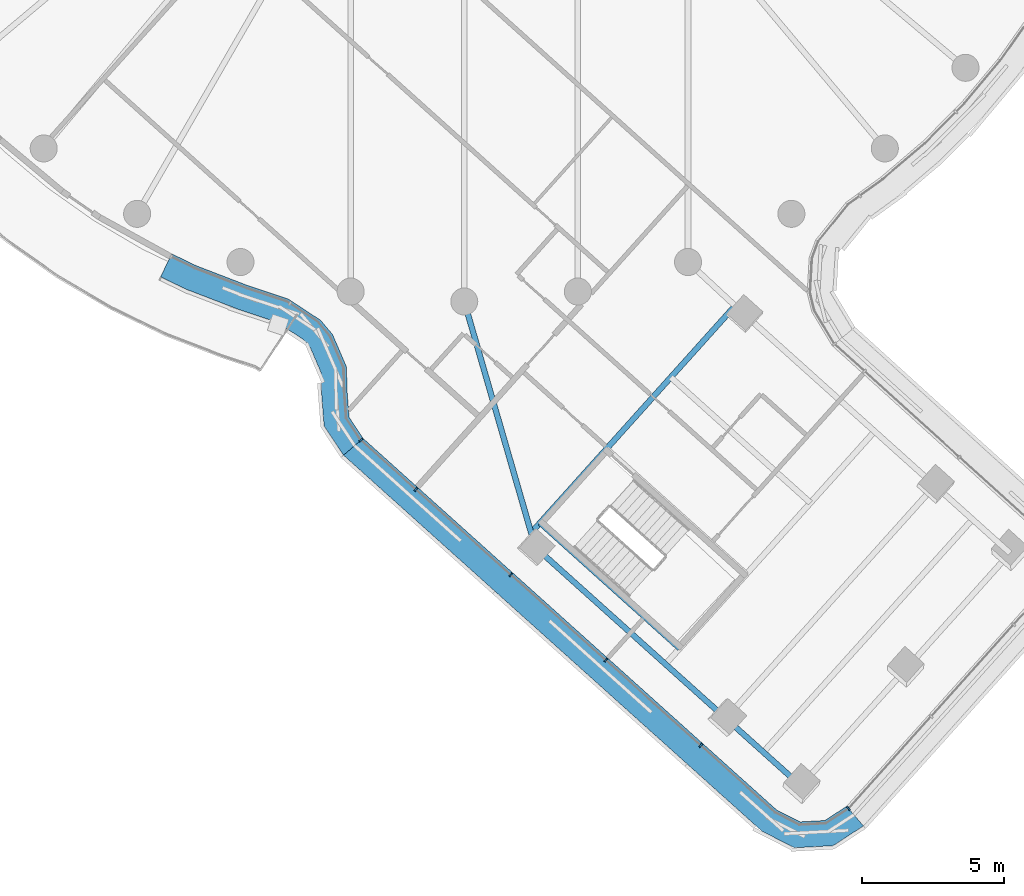
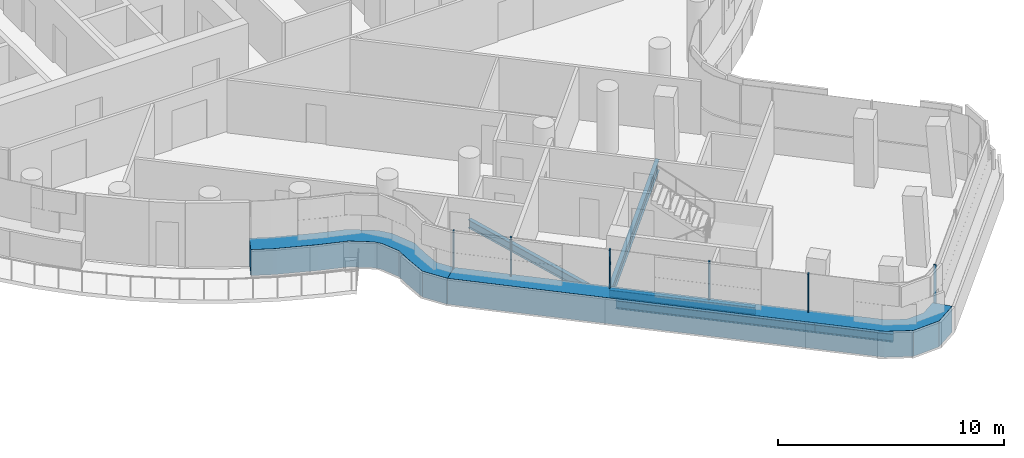
# One storey, part 4 of 31: 8 members, 5 beams, 3 elements without a shape of their own.
"""IFC4 building model written with IfcOpenShell, lengths in metres."""

from ifc_helpers import new_model, si_unit, direction, frame, origin, origin_2d, place, context, subcontext, project, spatial, polyline, rectangle, i_section, outline, extrude, material, layer, layer_set, material_profile, profile_set, type_object, element, aggregate, save


model = new_model("IFC4")

# Units and contexts
model_context = context("Model", 3, precision=1e-05, world=origin(), true_north=direction((0.0, 1.0)))
body_context = subcontext(model_context, "Body", "Model", "MODEL_VIEW")
ifc_project = project(units=[si_unit("LENGTHUNIT", "METRE"), si_unit("AREAUNIT", "SQUARE_METRE"), si_unit("VOLUMEUNIT", "CUBIC_METRE"), si_unit("PLANEANGLEUNIT", "RADIAN"), si_unit("MASSUNIT", "GRAM", prefix="KILO")], contexts=[model_context])

# Site, building, storey
site_placement = place(None, origin())
site = spatial("IfcSite", under=ifc_project, at=site_placement, CompositionType="ELEMENT")
building_placement = place(site_placement, origin())
building = spatial("IfcBuilding", under=site, at=building_placement, Name="Tamarind Cross Interchange Tower", CompositionType="ELEMENT")
storey_placement = place(building_placement, frame((0.0, 0.0, 207.699951171875)))
storey = spatial("IfcBuildingStorey", under=building, at=storey_placement, Name="L52", CompositionType="ELEMENT", Elevation=207.699951171875)

# Beams
ifc_material_1 = material(Name="Steel Q355B", Category="steel")
ifc_material_profile_1 = material_profile(ifc_material_1, i_section(OverallWidth=0.198974609375, OverallDepth=0.446044921875, WebThickness=0.008056640625, FlangeThickness=0.011962890625, FilletRadius=0.012939453125, at=origin_2d()), Name="HN 446x199x8x12")
ifc_profile_set_1 = profile_set([ifc_material_profile_1], Name="Steel Q355B")
beam_type_1 = type_object("IfcBeamType", Name="Composite beam HN 446x199x8x12 Q355B", PredefinedType="BEAM", material=ifc_profile_set_1)
beam_1_placement = place(storey_placement, frame((11.8349609375, -40.027587890625, -0.363037109375), z_axis=(-0.743833898738, 0.66836451962, 0.0), x_axis=(-0.66836451962, -0.743833898738, 0.0)))
element("IfcBeam", 1, at=beam_1_placement, inside=storey, type_object=beam_type_1, Name="Beam S-edgeem5", PredefinedType="BEAM", context=body_context, shape_type="SweptSolid", body=[
    extrude(i_section(OverallWidth=0.198974609375, OverallDepth=0.446044921875, WebThickness=0.008056640625, FlangeThickness=0.011962890625, FilletRadius=0.012939453125, at=origin_2d()), origin(), (0.0, 0.0, 1.0), 3.552001953125),
])
beam_2_placement = place(storey_placement, frame((9.19287109375, -37.653564453125, -0.363037109375), z_axis=(-0.743857689885, 0.668338041113, 0.0), x_axis=(-0.668338041113, -0.743857689885, 0.0)))
element("IfcBeam", 2, at=beam_2_placement, inside=storey, type_object=beam_type_1, Name="Beam S-edgeem6", PredefinedType="BEAM", context=body_context, shape_type="SweptSolid", body=[
    extrude(i_section(OverallWidth=0.198974609375, OverallDepth=0.446044921875, WebThickness=0.008056640625, FlangeThickness=0.011962890625, FilletRadius=0.012939453125, at=origin_2d()), origin(), (0.0, 0.0, 1.0), 9.000244140625),
])
beam_3_placement = place(storey_placement, frame((2.498046875, -31.638427734375, -0.363037109375), z_axis=(-0.277796352935, 0.960639987871, 0.0), x_axis=(-0.960639987871, -0.277796352935, 0.0)))
element("IfcBeam", 3, at=beam_3_placement, inside=storey, type_object=beam_type_1, Name="Beam S-linkem", PredefinedType="BEAM", context=body_context, shape_type="SweptSolid", body=[
    extrude(i_section(OverallWidth=0.198974609375, OverallDepth=0.446044921875, WebThickness=0.008056640625, FlangeThickness=0.011962890625, FilletRadius=0.012939453125, at=origin_2d()), origin(), (0.0, 0.0, 1.0), 8.992431640625),
])
beam_4_placement = place(storey_placement, frame((2.66455078125, -30.77978515625, -0.363037109375), z_axis=(0.743847527134, -0.668349352044, 0.0), x_axis=(0.668349352044, 0.743847527134, 0.0)))
element("IfcBeam", 4, at=beam_4_placement, inside=storey, type_object=beam_type_1, Name="Beam S-tr0", PredefinedType="BEAM", context=body_context, shape_type="SweptSolid", body=[
    extrude(i_section(OverallWidth=0.198974609375, OverallDepth=0.446044921875, WebThickness=0.008056640625, FlangeThickness=0.011962890625, FilletRadius=0.012939453125, at=origin_2d()), origin(), (0.0, 0.0, 1.0), 6.60009765625),
])
ifc_material_profile_2 = material_profile(ifc_material_1, i_section(OverallWidth=0.198974609375, OverallDepth=0.595947265625, WebThickness=0.010009765625, FlangeThickness=0.014892578125, FilletRadius=0.012939453125, at=origin_2d()), Name="HN 596x199x10x15")
ifc_profile_set_2 = profile_set([ifc_material_profile_2], Name="Steel Q355B")
beam_type_2 = type_object("IfcBeamType", Name="Composite beam HN 596x199x10x15 Q355B", PredefinedType="BEAM", material=ifc_profile_set_2)
beam_5_placement = place(storey_placement, frame((2.350830078125, -31.129150390625, -0.43798828125), z_axis=(0.668340824065, 0.743855189461, 0.0), x_axis=(-0.743855189461, 0.668340824065, 0.0)))
element("IfcBeam", 5, at=beam_5_placement, inside=storey, type_object=beam_type_2, Name="Beam S-x298", PredefinedType="BEAM", context=body_context, shape_type="SweptSolid", body=[
    extrude(i_section(OverallWidth=0.198974609375, OverallDepth=0.595947265625, WebThickness=0.010009765625, FlangeThickness=0.014892578125, FilletRadius=0.012939453125, at=origin_2d()), origin(), (0.0, 0.0, 1.0), 10.727294921875),
])

# Curtain wall, member
ifc_material_2 = material(Name="Aluminium 6063-T6", Category="aluminium")
ifc_layer = layer(ifc_material_2, 0.139892578125)
ifc_layer_set = layer_set([ifc_layer], Name="Aluminium 6063-T6")
curtain_wall_type = type_object("IfcCurtainWallType", Name="Hotel curtain wall, 4.5 m bays", PredefinedType="NOTDEFINED", material=ifc_layer_set)
curtain_wall_1_placement = place(storey_placement, origin())
curtain_wall_1 = element("IfcCurtainWall", 6, at=curtain_wall_1_placement, inside=storey, type_object=curtain_wall_type, Name="CWS-L52-02", PredefinedType="NOTDEFINED")
ifc_material_3 = material(Name="Aluminium and insulated spandrel panel", Category="aluminium")
member_type_1 = type_object("IfcMemberType", Name="Floor-edge blade transom", PredefinedType="USERDEFINED", material=ifc_material_3)
member_1_placement = place(storey_placement, origin())
member_1 = element("IfcMember", 7, at=member_1_placement, type_object=member_type_1, Name="CWT-L52-02-1", ObjectType="TRANSOM", PredefinedType="USERDEFINED", context=body_context, shape_type="SweptSolid", body=[
    extrude(outline(polyline([(-10.28466796875, -21.324951171875), (-9.425048828125, -21.74072265625), (-7.5927734375, -22.446533203125), (-6.193359375, -22.907958984375), (-5.048095703125, -23.660400390625), (-4.629638671875, -24.15966796875), (-4.14013671875, -25.299560546875), (-4.118408203125, -26.15087890625), (-4.04833984375, -27.06884765625), (-3.557373046875, -27.810791015625), (-4.24462890625, -28.4033203125), (-4.927978515625, -27.370361328125), (-5.017578125, -26.196533203125), (-5.035400390625, -25.49560546875), (-5.404296875, -24.636474609375), (-5.65283203125, -24.340087890625), (-6.588134765625, -23.7255859375), (-7.895751953125, -23.294189453125), (-9.783203125, -22.567138671875), (-10.675537109375, -22.1357421875), (-10.28466796875, -21.324951171875)])), origin(), (0.0, 0.0, 1.0), 1.400146484375),
])
aggregate(curtain_wall_1, [member_1])

# Curtain wall, members
curtain_wall_2_placement = place(storey_placement, origin())
curtain_wall_2 = element("IfcCurtainWall", 8, at=curtain_wall_2_placement, inside=storey, type_object=curtain_wall_type, Name="CWS-L52-03", PredefinedType="NOTDEFINED")
member_2_placement = place(storey_placement, origin())
member_2 = element("IfcMember", 9, at=member_2_placement, type_object=member_type_1, Name="CWT-L52-03", ObjectType="TRANSOM", PredefinedType="USERDEFINED", context=body_context, shape_type="SweptSolid", body=[
    extrude(outline(polyline([(-3.557373046875, -27.810791015625), (10.985107421875, -40.876953125), (11.801025390625, -41.291748046875), (12.67431640625, -41.2451171875), (13.441650390625, -40.74560546875), (14.031982421875, -41.435302734375), (12.96337890625, -42.130859375), (11.6083984375, -42.203369140625), (10.4716796875, -41.625732421875), (-4.24462890625, -28.4033203125), (-3.557373046875, -27.810791015625)])), origin(), (0.0, 0.0, 1.0), 1.400146484375),
])
ifc_material_profile_3 = material_profile(ifc_material_2, rectangle(XDim=0.06005859375, YDim=0.139892578125, at=origin_2d()), Name="Mullion CW2")
ifc_profile_set_3 = profile_set([ifc_material_profile_3], Name="Aluminium 6063-T6")
member_type_2 = type_object("IfcMemberType", Name="Mullion CW2", PredefinedType="MULLION", material=ifc_profile_set_3)
member_3_placement = place(storey_placement, frame((-3.6337890625, -27.876708984375, 1.400146484375), z_axis=(0.0, 0.0, 1.0), x_axis=(0.653111897503, -0.757261414137, 0.0)))
member_3 = element("IfcMember", 10, at=member_3_placement, type_object=member_type_2, Name="CWM-L52-03-00", PredefinedType="MULLION", context=body_context, shape_type="SweptSolid", body=[
    extrude(rectangle(XDim=0.06005859375, YDim=0.139892578125, at=origin_2d()), origin(), (0.0, 0.0, 1.0), 2.059814453125),
])
member_4_placement = place(storey_placement, frame((-1.7041015625, -29.6103515625, 1.400146484375), z_axis=(0.0, 0.0, 1.0), x_axis=(0.743854461689, -0.668341634065, 0.0)))
member_4 = element("IfcMember", 11, at=member_4_placement, type_object=member_type_2, Name="CWM-L52-03-01", PredefinedType="MULLION", context=body_context, shape_type="SweptSolid", body=[
    extrude(rectangle(XDim=0.06005859375, YDim=0.139892578125, at=origin_2d()), origin(), (0.0, 0.0, 1.0), 2.059814453125),
])
member_5_placement = place(storey_placement, frame((1.63427734375, -32.60986328125, 1.400146484375), z_axis=(0.0, 0.0, 1.0), x_axis=(0.743854461689, -0.668341634065, 0.0)))
member_5 = element("IfcMember", 12, at=member_5_placement, type_object=member_type_2, Name="CWM-L52-03-02", PredefinedType="MULLION", context=body_context, shape_type="SweptSolid", body=[
    extrude(rectangle(XDim=0.06005859375, YDim=0.139892578125, at=origin_2d()), origin(), (0.0, 0.0, 1.0), 2.059814453125),
])
member_6_placement = place(storey_placement, frame((4.972900390625, -35.609619140625, 1.400146484375), z_axis=(0.0, 0.0, 1.0), x_axis=(0.743854461689, -0.668341634065, 0.0)))
member_6 = element("IfcMember", 13, at=member_6_placement, type_object=member_type_2, Name="CWM-L52-03-03", PredefinedType="MULLION", context=body_context, shape_type="SweptSolid", body=[
    extrude(rectangle(XDim=0.06005859375, YDim=0.139892578125, at=origin_2d()), origin(), (0.0, 0.0, 1.0), 2.059814453125),
])
member_7_placement = place(storey_placement, frame((8.311279296875, -38.609130859375, 1.400146484375), z_axis=(0.0, 0.0, 1.0), x_axis=(0.743854461689, -0.668341634065, 0.0)))
member_7 = element("IfcMember", 14, at=member_7_placement, type_object=member_type_2, Name="CWM-L52-03-04", PredefinedType="MULLION", context=body_context, shape_type="SweptSolid", body=[
    extrude(rectangle(XDim=0.06005859375, YDim=0.139892578125, at=origin_2d()), origin(), (0.0, 0.0, 1.0), 2.059814453125),
])
aggregate(curtain_wall_2, [member_3, member_4, member_5, member_6, member_7, member_2])

# Curtain wall, member
curtain_wall_3_placement = place(storey_placement, origin())
curtain_wall_3 = element("IfcCurtainWall", 15, at=curtain_wall_3_placement, inside=storey, type_object=curtain_wall_type, Name="CWS-L52-04", PredefinedType="NOTDEFINED")
member_8_placement = place(storey_placement, frame((13.507080078125, -40.822265625, 1.400146484375), z_axis=(0.0, 0.0, 1.0), x_axis=(0.759716369186, 0.650254595055, 0.0)))
member_8 = element("IfcMember", 16, at=member_8_placement, type_object=member_type_2, Name="CWM-L52-04-00", PredefinedType="MULLION", context=body_context, shape_type="SweptSolid", body=[
    extrude(rectangle(XDim=0.06005859375, YDim=0.139892578125, at=origin_2d()), origin(), (0.0, 0.0, 1.0), 2.059814453125),
])
aggregate(curtain_wall_3, [member_8])

save(model, "model.ifc")
